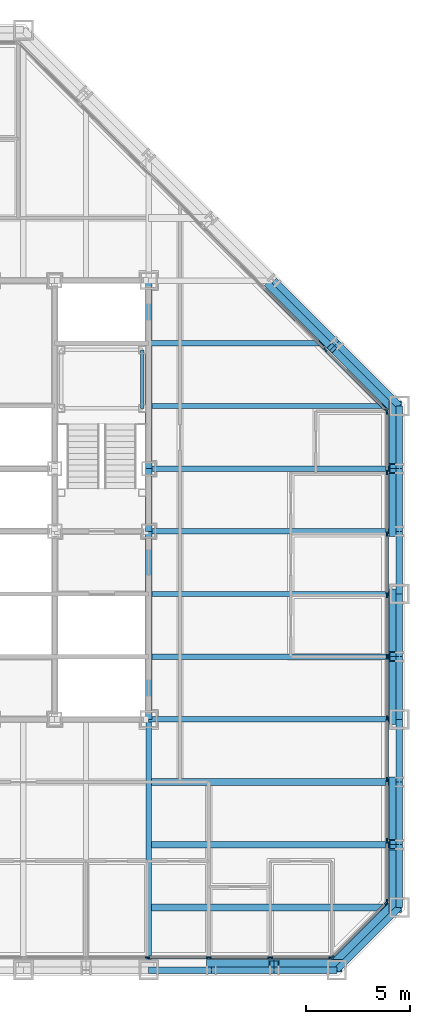
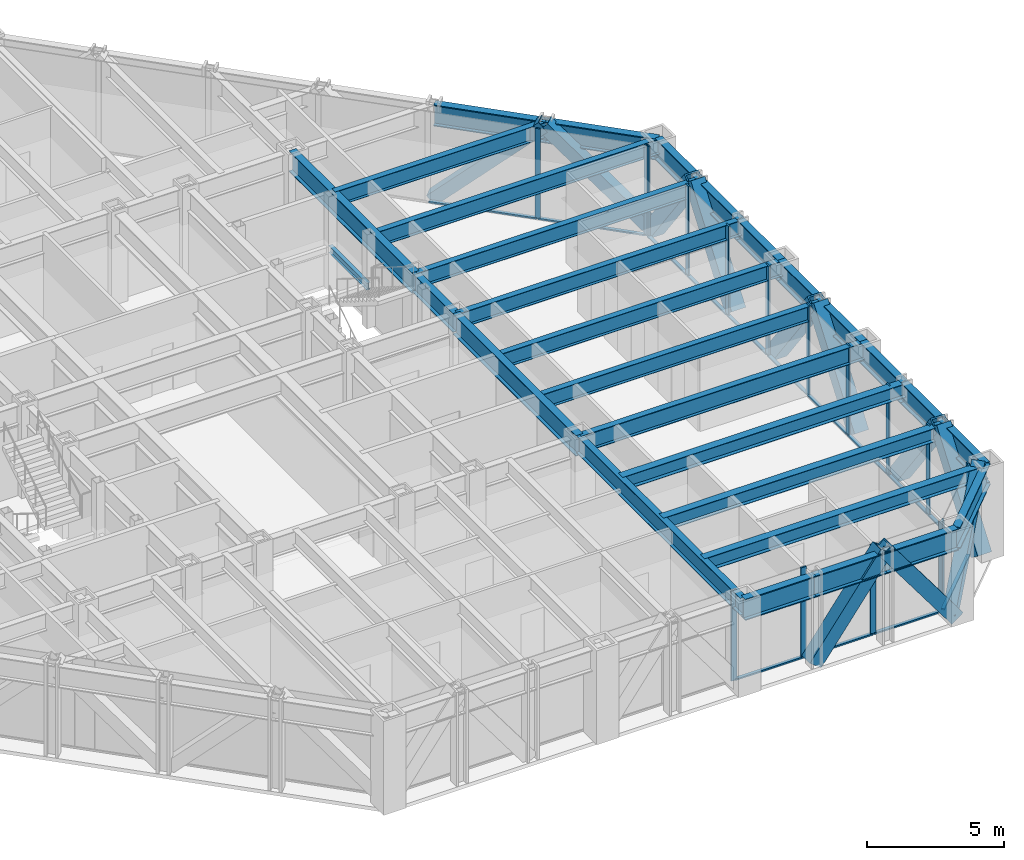
# One storey, part 6 of 16: 42 members, 29 beams, 4 elements without a shape of their own.
"""IFC4 building model written with IfcOpenShell, lengths in metres."""

from ifc_helpers import new_model, si_unit, direction, frame, origin, origin_2d, place, context, subcontext, project, spatial, rectangle, hollow_rectangle, i_section, extrude, material, layer, layer_set, material_profile, profile_set, type_object, element, aggregate, save


model = new_model("IFC4")

# Units and contexts
model_context = context("Model", 3, precision=1e-05, world=origin(), true_north=direction((0.0, 1.0)))
body_context = subcontext(model_context, "Body", "Model", "MODEL_VIEW")
ifc_project = project(units=[si_unit("LENGTHUNIT", "METRE"), si_unit("AREAUNIT", "SQUARE_METRE"), si_unit("VOLUMEUNIT", "CUBIC_METRE"), si_unit("PLANEANGLEUNIT", "RADIAN"), si_unit("MASSUNIT", "GRAM", prefix="KILO")], contexts=[model_context])

# Site, building, storey
site_placement = place(None, origin())
site = spatial("IfcSite", under=ifc_project, at=site_placement, CompositionType="ELEMENT")
building_placement = place(site_placement, origin())
building = spatial("IfcBuilding", under=site, at=building_placement, Name="Chuquiago Exchange Tower", CompositionType="ELEMENT")
storey_placement = place(building_placement, frame((0.0, 0.0, 106.800048828125)))
storey = spatial("IfcBuildingStorey", under=building, at=storey_placement, Name="L22", CompositionType="ELEMENT", Elevation=106.800048828125)

# Beams
ifc_material_1 = material(Name="Steel ASTM A992", Category="steel")
ifc_material_profile_1 = material_profile(ifc_material_1, i_section(OverallWidth=0.25390625, OverallDepth=0.683349609375, WebThickness=0.012451171875, FlangeThickness=0.018798828125, at=origin_2d()), Name="W27X94")
ifc_profile_set_1 = profile_set([ifc_material_profile_1], Name="Steel ASTM A992")
beam_type_1 = type_object("IfcBeamType", Name="B1 W27X94", PredefinedType="BEAM", material=ifc_profile_set_1)
for number, where, z_axis, x_axis, name in (
    (1, (33.0, 15.0, 3.6982421875), (1.0, 0.0, 0.0), (0.0, 1.0, 0.0), "FB-L23-infill-33_15-45_15-0"),
    (2, (33.0, 18.0, 3.6982421875), (1.0, 0.0, 0.0), (0.0, 1.0, 0.0), "FB-L23-infill-33_18-45_18-0"),
    (3, (33.0, 21.0, 3.6982421875), (1.0, 0.0, 0.0), (0.0, 1.0, 0.0), "FB-L23-infill-33_21-45_21-0"),
    (4, (33.0, 24.0, 3.6982421875), (1.0, 0.0, 0.0), (0.0, 1.0, 0.0), "FB-L23-infill-33_24-45_24-0"),
    (5, (33.0, 27.0, 3.6982421875), (1.0, 0.0, 0.0), (0.0, 1.0, 0.0), "FB-L23-infill-33_27-45_27-0"),
):
    element("IfcBeam", number, at=place(storey_placement, frame(where, z_axis=z_axis, x_axis=x_axis)), inside=storey, type_object=beam_type_1, Name=name, PredefinedType="BEAM", context=body_context, shape_type="SweptSolid", body=[
        extrude(i_section(OverallWidth=0.25390625, OverallDepth=0.683349609375, WebThickness=0.012451171875, FlangeThickness=0.018798828125, at=origin_2d()), origin(), (0.0, 0.0, 1.0), 12.0),
    ])
beam_1_placement = place(storey_placement, frame((33.0, 30.0, 3.6982421875), z_axis=(1.0, 0.0, 0.0), x_axis=(0.0, 1.0, 0.0)))
element("IfcBeam", 6, at=beam_1_placement, inside=storey, type_object=beam_type_1, Name="FB-L23-infill-33_30-42_30-0", PredefinedType="BEAM", context=body_context, shape_type="SweptSolid", body=[
    extrude(i_section(OverallWidth=0.25390625, OverallDepth=0.683349609375, WebThickness=0.012451171875, FlangeThickness=0.018798828125, at=origin_2d()), origin(), (0.0, 0.0, 1.0), 9.0),
])
ifc_material_2 = material(Name="Steel ASTM A992", Category="steel")
ifc_material_profile_2 = material_profile(ifc_material_2, i_section(OverallWidth=0.307373046875, OverallDepth=0.927001953125, WebThickness=0.01953125, FlangeThickness=0.031982421875, at=origin_2d()), Name="W36X194")
ifc_profile_set_2 = profile_set([ifc_material_profile_2], Name="Steel ASTM A992")
beam_type_2 = type_object("IfcBeamType", Name="B10 W36X194", PredefinedType="BEAM", material=ifc_profile_set_2)
for number, where, z_axis, x_axis, name in (
    (7, (33.0, 12.0, 3.576416015625), (0.0, 1.0, 0.0), (-1.0, 0.0, 0.0), "CB-L23-33_12-33_21"),
    (8, (33.0, 24.0, 3.576416015625), (0.0, 1.0, 0.0), (-1.0, 0.0, 0.0), "CB-L23-33_24-33_33"),
):
    element("IfcBeam", number, at=place(storey_placement, frame(where, z_axis=z_axis, x_axis=x_axis)), inside=storey, type_object=beam_type_2, Name=name, PredefinedType="BEAM", context=body_context, shape_type="SweptSolid", body=[
        extrude(i_section(OverallWidth=0.307373046875, OverallDepth=0.927001953125, WebThickness=0.01953125, FlangeThickness=0.031982421875, at=origin_2d()), origin(), (0.0, 0.0, 1.0), 9.0),
    ])
ifc_material_3 = material(Name="Steel ASTM A992", Category="steel")
ifc_material_profile_3 = material_profile(ifc_material_3, i_section(OverallWidth=0.3251953125, OverallDepth=0.612060546875, WebThickness=0.0126953125, FlangeThickness=0.01904296875, at=origin_2d()), Name="W24X104")
ifc_profile_set_3 = profile_set([ifc_material_profile_3], Name="Steel ASTM A992")
beam_type_3 = type_object("IfcBeamType", Name="B2 W24X104", PredefinedType="BEAM", material=ifc_profile_set_3)
for number, where, z_axis, x_axis, name in (
    (9, (33.0, 3.0, 3.73388671875), (1.0, 0.0, 0.0), (0.0, 1.0, 0.0), "FB-L23-corner-33_3-45_3-0"),
    (10, (33.0, 6.0, 3.73388671875), (1.0, 0.0, 0.0), (0.0, 1.0, 0.0), "FB-L23-corner-33_6-45_6-0"),
    (11, (33.0, 9.0, 3.73388671875), (1.0, 0.0, 0.0), (0.0, 1.0, 0.0), "FB-L23-corner-33_9-45_9-0"),
):
    element("IfcBeam", number, at=place(storey_placement, frame(where, z_axis=z_axis, x_axis=x_axis)), inside=storey, type_object=beam_type_3, Name=name, PredefinedType="BEAM", context=body_context, shape_type="SweptSolid", body=[
        extrude(i_section(OverallWidth=0.3251953125, OverallDepth=0.612060546875, WebThickness=0.0126953125, FlangeThickness=0.01904296875, at=origin_2d()), origin(), (0.0, 0.0, 1.0), 12.0),
    ])
ifc_material_4 = material(Name="Steel ASTM A992", Category="steel")
ifc_material_profile_4 = material_profile(ifc_material_4, i_section(OverallWidth=0.2919921875, OverallDepth=0.8583984375, WebThickness=0.01708984375, FlangeThickness=0.031005859375, at=origin_2d()), Name="W33X169")
ifc_profile_set_4 = profile_set([ifc_material_profile_4], Name="Steel ASTM A992")
beam_type_4 = type_object("IfcBeamType", Name="B3 W33X169", PredefinedType="BEAM", material=ifc_profile_set_4)
beam_2_placement = place(storey_placement, frame((33.0, 21.0, 3.610595703125), z_axis=(0.0, 1.0, 0.0), x_axis=(-1.0, 0.0, 0.0)))
element("IfcBeam", 12, at=beam_2_placement, inside=storey, type_object=beam_type_4, Name="CB-L23-33_21-33_24", PredefinedType="BEAM", context=body_context, shape_type="SweptSolid", body=[
    extrude(i_section(OverallWidth=0.2919921875, OverallDepth=0.8583984375, WebThickness=0.01708984375, FlangeThickness=0.031005859375, at=origin_2d()), origin(), (0.0, 0.0, 1.0), 3.0),
])

# Curtain wall, members
ifc_material_5 = material(Name="Aluminium curtain wall system", Category="aluminium")
ifc_layer_1 = layer(ifc_material_5, 0.22509765625)
ifc_layer_set_1 = layer_set([ifc_layer_1], Name="CW2 office curtain wall")
curtain_wall_type_1 = type_object("IfcCurtainWallType", Name="CW2 office curtain wall", PredefinedType="NOTDEFINED", material=ifc_layer_set_1)
curtain_wall_1_placement = place(storey_placement, origin())
curtain_wall_1 = element("IfcCurtainWall", 13, at=curtain_wall_1_placement, inside=storey, type_object=curtain_wall_type_1, Name="CW2 curtain wall L22", PredefinedType="NOTDEFINED")
ifc_material_6 = material(Name="Aluminium mullion, pale anodised", Category="aluminium")
ifc_material_profile_5 = material_profile(ifc_material_6, rectangle(XDim=0.06494140625, YDim=0.22509765625, at=origin_2d()), Name="AL 65x225")
ifc_profile_set_5 = profile_set([ifc_material_profile_5], Name="Aluminium mullion, pale anodised")
member_type_1 = type_object("IfcMemberType", Name="CW2-M mullion 65x225", PredefinedType="MULLION", material=ifc_profile_set_5)
member_1_placement = place(storey_placement, frame((32.93798828125, 0.60009765625, 0.0), z_axis=(0.0, 0.0, 1.0), x_axis=(0.0, 1.0, 0.0)))
member_1 = element("IfcMember", 14, at=member_1_placement, type_object=member_type_1, Name="CW2 mullion 6", PredefinedType="MULLION", context=body_context, shape_type="SweptSolid", body=[
    extrude(rectangle(XDim=0.06494140625, YDim=0.22509765625, at=origin_2d()), origin(), (0.0, 0.0, 1.0), 4.0400390625),
])
member_2_placement = place(storey_placement, frame((35.875732421875, 0.60009765625, 0.0), z_axis=(0.0, 0.0, 1.0), x_axis=(0.0, 1.0, 0.0)))
member_2 = element("IfcMember", 15, at=member_2_placement, type_object=member_type_1, Name="CW2 mullion 7", PredefinedType="MULLION", context=body_context, shape_type="SweptSolid", body=[
    extrude(rectangle(XDim=0.06494140625, YDim=0.22509765625, at=origin_2d()), origin(), (0.0, 0.0, 1.0), 4.0400390625),
])
member_3_placement = place(storey_placement, frame((38.813720703125, 0.60009765625, 0.0), z_axis=(0.0, 0.0, 1.0), x_axis=(0.0, 1.0, 0.0)))
member_3 = element("IfcMember", 16, at=member_3_placement, type_object=member_type_1, Name="CW2 mullion 8", PredefinedType="MULLION", context=body_context, shape_type="SweptSolid", body=[
    extrude(rectangle(XDim=0.06494140625, YDim=0.22509765625, at=origin_2d()), origin(), (0.0, 0.0, 1.0), 4.0400390625),
])
member_4_placement = place(storey_placement, frame((41.718994140625, 0.60009765625, 0.0), z_axis=(0.0, 0.0, 1.0), x_axis=(0.0, 1.0, 0.0)))
member_4 = element("IfcMember", 17, at=member_4_placement, type_object=member_type_1, Name="CW2 mullion 9", PredefinedType="MULLION", context=body_context, shape_type="SweptSolid", body=[
    extrude(rectangle(XDim=0.06494140625, YDim=0.22509765625, at=origin_2d()), origin(), (0.0, 0.0, 1.0), 4.0400390625),
])

curtain_wall_2_placement = place(storey_placement, origin())
curtain_wall_2 = element("IfcCurtainWall", 18, at=curtain_wall_2_placement, inside=storey, type_object=curtain_wall_type_1, Name="CW2 curtain wall L22", PredefinedType="NOTDEFINED")
member_5_placement = place(storey_placement, frame((44.39990234375, 3.281005859375, 0.0), z_axis=(0.0, 0.0, 1.0), x_axis=(-1.0, 0.0, 0.0)))
member_5 = element("IfcMember", 19, at=member_5_placement, type_object=member_type_1, Name="CW2 mullion 1", PredefinedType="MULLION", context=body_context, shape_type="SweptSolid", body=[
    extrude(rectangle(XDim=0.06494140625, YDim=0.22509765625, at=origin_2d()), origin(), (0.0, 0.0, 1.0), 4.0400390625),
])
member_6_placement = place(storey_placement, frame((44.39990234375, 6.186279296875, 0.0), z_axis=(0.0, 0.0, 1.0), x_axis=(-1.0, 0.0, 0.0)))
member_6 = element("IfcMember", 20, at=member_6_placement, type_object=member_type_1, Name="CW2 mullion 2", PredefinedType="MULLION", context=body_context, shape_type="SweptSolid", body=[
    extrude(rectangle(XDim=0.06494140625, YDim=0.22509765625, at=origin_2d()), origin(), (0.0, 0.0, 1.0), 4.0400390625),
])
member_7_placement = place(storey_placement, frame((44.39990234375, 9.124267578125, 0.0), z_axis=(0.0, 0.0, 1.0), x_axis=(-1.0, 0.0, 0.0)))
member_7 = element("IfcMember", 21, at=member_7_placement, type_object=member_type_1, Name="CW2 mullion 3", PredefinedType="MULLION", context=body_context, shape_type="SweptSolid", body=[
    extrude(rectangle(XDim=0.06494140625, YDim=0.22509765625, at=origin_2d()), origin(), (0.0, 0.0, 1.0), 4.0400390625),
])
member_8_placement = place(storey_placement, frame((44.39990234375, 12.06201171875, 0.0), z_axis=(0.0, 0.0, 1.0), x_axis=(-1.0, 0.0, 0.0)))
member_8 = element("IfcMember", 22, at=member_8_placement, type_object=member_type_1, Name="CW2 mullion 4", PredefinedType="MULLION", context=body_context, shape_type="SweptSolid", body=[
    extrude(rectangle(XDim=0.06494140625, YDim=0.22509765625, at=origin_2d()), origin(), (0.0, 0.0, 1.0), 4.0400390625),
])
member_9_placement = place(storey_placement, frame((44.39990234375, 15.0, 0.0), z_axis=(0.0, 0.0, 1.0), x_axis=(-1.0, 0.0, 0.0)))
member_9 = element("IfcMember", 23, at=member_9_placement, type_object=member_type_1, Name="CW2 mullion 5", PredefinedType="MULLION", context=body_context, shape_type="SweptSolid", body=[
    extrude(rectangle(XDim=0.06494140625, YDim=0.22509765625, at=origin_2d()), origin(), (0.0, 0.0, 1.0), 4.0400390625),
])
member_10_placement = place(storey_placement, frame((44.39990234375, 17.93798828125, 0.0), z_axis=(0.0, 0.0, 1.0), x_axis=(-1.0, 0.0, 0.0)))
member_10 = element("IfcMember", 24, at=member_10_placement, type_object=member_type_1, Name="CW2 mullion 6", PredefinedType="MULLION", context=body_context, shape_type="SweptSolid", body=[
    extrude(rectangle(XDim=0.06494140625, YDim=0.22509765625, at=origin_2d()), origin(), (0.0, 0.0, 1.0), 4.0400390625),
])
member_11_placement = place(storey_placement, frame((44.39990234375, 20.875732421875, 0.0), z_axis=(0.0, 0.0, 1.0), x_axis=(-1.0, 0.0, 0.0)))
member_11 = element("IfcMember", 25, at=member_11_placement, type_object=member_type_1, Name="CW2 mullion 7", PredefinedType="MULLION", context=body_context, shape_type="SweptSolid", body=[
    extrude(rectangle(XDim=0.06494140625, YDim=0.22509765625, at=origin_2d()), origin(), (0.0, 0.0, 1.0), 4.0400390625),
])
member_12_placement = place(storey_placement, frame((44.39990234375, 23.813720703125, 0.0), z_axis=(0.0, 0.0, 1.0), x_axis=(-1.0, 0.0, 0.0)))
member_12 = element("IfcMember", 26, at=member_12_placement, type_object=member_type_1, Name="CW2 mullion 8", PredefinedType="MULLION", context=body_context, shape_type="SweptSolid", body=[
    extrude(rectangle(XDim=0.06494140625, YDim=0.22509765625, at=origin_2d()), origin(), (0.0, 0.0, 1.0), 4.0400390625),
])
member_13_placement = place(storey_placement, frame((44.39990234375, 26.718994140625, 0.0), z_axis=(0.0, 0.0, 1.0), x_axis=(-1.0, 0.0, 0.0)))
member_13 = element("IfcMember", 27, at=member_13_placement, type_object=member_type_1, Name="CW2 mullion 9", PredefinedType="MULLION", context=body_context, shape_type="SweptSolid", body=[
    extrude(rectangle(XDim=0.06494140625, YDim=0.22509765625, at=origin_2d()), origin(), (0.0, 0.0, 1.0), 4.0400390625),
])

# Member
ifc_material_7 = material(Name="Aluminium transom, pale anodised", Category="aluminium")
ifc_material_profile_6 = material_profile(ifc_material_7, rectangle(XDim=0.139892578125, YDim=0.06494140625, at=origin_2d()), Name="AL 140x65")
ifc_profile_set_6 = profile_set([ifc_material_profile_6], Name="Aluminium transom, pale anodised")
member_type_2 = type_object("IfcMemberType", Name="CW2-T transom 65x140", PredefinedType="MULLION", material=ifc_profile_set_6)
member_14_placement = place(storey_placement, frame((32.970458984375, 0.60009765625, 0.032470703125), z_axis=(1.0, 0.0, 0.0), x_axis=(0.0, 1.0, 0.0)))
member_14 = element("IfcMember", 28, at=member_14_placement, type_object=member_type_2, Name="CW2 transom 6.1", PredefinedType="MULLION", context=body_context, shape_type="SweptSolid", body=[
    extrude(rectangle(XDim=0.139892578125, YDim=0.06494140625, at=origin_2d()), origin(), (0.0, 0.0, 1.0), 2.872802734375),
])

member_15_placement = place(storey_placement, frame((35.908203125, 0.60009765625, 0.032470703125), z_axis=(1.0, 0.0, 0.0), x_axis=(0.0, 1.0, 0.0)))
member_15 = element("IfcMember", 29, at=member_15_placement, type_object=member_type_2, Name="CW2 transom 7.1", PredefinedType="MULLION", context=body_context, shape_type="SweptSolid", body=[
    extrude(rectangle(XDim=0.139892578125, YDim=0.06494140625, at=origin_2d()), origin(), (0.0, 0.0, 1.0), 2.872802734375),
])

member_16_placement = place(storey_placement, frame((38.84619140625, 0.60009765625, 0.032470703125), z_axis=(1.0, 0.0, 0.0), x_axis=(0.0, 1.0, 0.0)))
member_16 = element("IfcMember", 30, at=member_16_placement, type_object=member_type_2, Name="CW2 transom 8.1", PredefinedType="MULLION", context=body_context, shape_type="SweptSolid", body=[
    extrude(rectangle(XDim=0.139892578125, YDim=0.06494140625, at=origin_2d()), origin(), (0.0, 0.0, 1.0), 2.84033203125),
])

aggregate(curtain_wall_1, [member_1, member_2, member_3, member_4, member_14, member_15, member_16])

member_17_placement = place(storey_placement, frame((44.39990234375, 3.3134765625, 0.032470703125), z_axis=(0.0, 1.0, 0.0), x_axis=(-1.0, 0.0, 0.0)))
member_17 = element("IfcMember", 31, at=member_17_placement, type_object=member_type_2, Name="CW2 transom 1.1", PredefinedType="MULLION", context=body_context, shape_type="SweptSolid", body=[
    extrude(rectangle(XDim=0.139892578125, YDim=0.06494140625, at=origin_2d()), origin(), (0.0, 0.0, 1.0), 2.84033203125),
])

member_18_placement = place(storey_placement, frame((44.39990234375, 6.218994140625, 0.032470703125), z_axis=(0.0, 1.0, 0.0), x_axis=(-1.0, 0.0, 0.0)))
member_18 = element("IfcMember", 32, at=member_18_placement, type_object=member_type_2, Name="CW2 transom 2.1", PredefinedType="MULLION", context=body_context, shape_type="SweptSolid", body=[
    extrude(rectangle(XDim=0.139892578125, YDim=0.06494140625, at=origin_2d()), origin(), (0.0, 0.0, 1.0), 2.872802734375),
])

member_19_placement = place(storey_placement, frame((44.39990234375, 9.15673828125, 0.032470703125), z_axis=(0.0, 1.0, 0.0), x_axis=(-1.0, 0.0, 0.0)))
member_19 = element("IfcMember", 33, at=member_19_placement, type_object=member_type_2, Name="CW2 transom 3.1", PredefinedType="MULLION", context=body_context, shape_type="SweptSolid", body=[
    extrude(rectangle(XDim=0.139892578125, YDim=0.06494140625, at=origin_2d()), origin(), (0.0, 0.0, 1.0), 2.872802734375),
])

member_20_placement = place(storey_placement, frame((44.39990234375, 12.0947265625, 0.032470703125), z_axis=(0.0, 1.0, 0.0), x_axis=(-1.0, 0.0, 0.0)))
member_20 = element("IfcMember", 34, at=member_20_placement, type_object=member_type_2, Name="CW2 transom 4.1", PredefinedType="MULLION", context=body_context, shape_type="SweptSolid", body=[
    extrude(rectangle(XDim=0.139892578125, YDim=0.06494140625, at=origin_2d()), origin(), (0.0, 0.0, 1.0), 2.872802734375),
])

member_21_placement = place(storey_placement, frame((44.39990234375, 15.032470703125, 0.032470703125), z_axis=(0.0, 1.0, 0.0), x_axis=(-1.0, 0.0, 0.0)))
member_21 = element("IfcMember", 35, at=member_21_placement, type_object=member_type_2, Name="CW2 transom 5.1", PredefinedType="MULLION", context=body_context, shape_type="SweptSolid", body=[
    extrude(rectangle(XDim=0.139892578125, YDim=0.06494140625, at=origin_2d()), origin(), (0.0, 0.0, 1.0), 2.872802734375),
])

member_22_placement = place(storey_placement, frame((44.39990234375, 17.970458984375, 0.032470703125), z_axis=(0.0, 1.0, 0.0), x_axis=(-1.0, 0.0, 0.0)))
member_22 = element("IfcMember", 36, at=member_22_placement, type_object=member_type_2, Name="CW2 transom 6.1", PredefinedType="MULLION", context=body_context, shape_type="SweptSolid", body=[
    extrude(rectangle(XDim=0.139892578125, YDim=0.06494140625, at=origin_2d()), origin(), (0.0, 0.0, 1.0), 2.872802734375),
])

member_23_placement = place(storey_placement, frame((44.39990234375, 20.908203125, 0.032470703125), z_axis=(0.0, 1.0, 0.0), x_axis=(-1.0, 0.0, 0.0)))
member_23 = element("IfcMember", 37, at=member_23_placement, type_object=member_type_2, Name="CW2 transom 7.1", PredefinedType="MULLION", context=body_context, shape_type="SweptSolid", body=[
    extrude(rectangle(XDim=0.139892578125, YDim=0.06494140625, at=origin_2d()), origin(), (0.0, 0.0, 1.0), 2.872802734375),
])

member_24_placement = place(storey_placement, frame((44.39990234375, 23.84619140625, 0.032470703125), z_axis=(0.0, 1.0, 0.0), x_axis=(-1.0, 0.0, 0.0)))
member_24 = element("IfcMember", 38, at=member_24_placement, type_object=member_type_2, Name="CW2 transom 8.1", PredefinedType="MULLION", context=body_context, shape_type="SweptSolid", body=[
    extrude(rectangle(XDim=0.139892578125, YDim=0.06494140625, at=origin_2d()), origin(), (0.0, 0.0, 1.0), 2.84033203125),
])

aggregate(curtain_wall_2, [member_5, member_6, member_7, member_8, member_9, member_10, member_11, member_12, member_13, member_17, member_18, member_19, member_20, member_21, member_22, member_23, member_24])

# Curtain wall, members
ifc_material_8 = material(Name="Aluminium curtain wall system", Category="aluminium")
ifc_layer_2 = layer(ifc_material_8, 0.199951171875)
ifc_layer_set_2 = layer_set([ifc_layer_2], Name="CW3 facet curtain wall")
curtain_wall_type_2 = type_object("IfcCurtainWallType", Name="CW3 facet curtain wall", PredefinedType="NOTDEFINED", material=ifc_layer_set_2)
curtain_wall_3_placement = place(storey_placement, origin())
curtain_wall_3 = element("IfcCurtainWall", 39, at=curtain_wall_3_placement, inside=storey, type_object=curtain_wall_type_2, Name="CW3 curtain wall L22", PredefinedType="NOTDEFINED")
ifc_material_9 = material(Name="Aluminium mullion, pale anodised", Category="aluminium")
ifc_material_profile_7 = material_profile(ifc_material_9, rectangle(XDim=0.06494140625, YDim=0.199951171875, at=origin_2d()), Name="AL 65x200")
ifc_profile_set_7 = profile_set([ifc_material_profile_7], Name="Aluminium mullion, pale anodised")
member_type_3 = type_object("IfcMemberType", Name="CW3-M mullion 65x200", PredefinedType="MULLION", material=ifc_profile_set_7)
member_25_placement = place(storey_placement, frame((41.7744140625, 0.623046875, 0.0), z_axis=(0.0, 0.0, 1.0), x_axis=(-0.707106781187, 0.707106781187, 0.0)))
member_25 = element("IfcMember", 40, at=member_25_placement, type_object=member_type_3, Name="CW3 mullion 1", PredefinedType="MULLION", context=body_context, shape_type="SweptSolid", body=[
    extrude(rectangle(XDim=0.06494140625, YDim=0.199951171875, at=origin_2d()), origin(), (0.0, 0.0, 1.0), 4.0400390625),
])
member_26_placement = place(storey_placement, frame((44.376953125, 3.2255859375, 0.0), z_axis=(0.0, 0.0, 1.0), x_axis=(-0.707106781187, 0.707106781187, 0.0)))
member_26 = element("IfcMember", 41, at=member_26_placement, type_object=member_type_3, Name="CW3 mullion 2", PredefinedType="MULLION", context=body_context, shape_type="SweptSolid", body=[
    extrude(rectangle(XDim=0.06494140625, YDim=0.199951171875, at=origin_2d()), origin(), (0.0, 0.0, 1.0), 4.0400390625),
])

curtain_wall_4_placement = place(storey_placement, origin())
curtain_wall_4 = element("IfcCurtainWall", 42, at=curtain_wall_4_placement, inside=storey, type_object=curtain_wall_type_2, Name="CW3 curtain wall L22", PredefinedType="NOTDEFINED")
member_27_placement = place(storey_placement, frame((44.376953125, 26.7744140625, 0.0), z_axis=(0.0, 0.0, 1.0), x_axis=(-0.707106781187, -0.707106781187, 0.0)))
member_27 = element("IfcMember", 43, at=member_27_placement, type_object=member_type_3, Name="CW3 mullion 1", PredefinedType="MULLION", context=body_context, shape_type="SweptSolid", body=[
    extrude(rectangle(XDim=0.06494140625, YDim=0.199951171875, at=origin_2d()), origin(), (0.0, 0.0, 1.0), 4.0400390625),
])
member_28_placement = place(storey_placement, frame((41.45849609375, 29.69287109375, 0.0), z_axis=(0.0, 0.0, 1.0), x_axis=(-0.707106781187, -0.707106781187, 0.0)))
member_28 = element("IfcMember", 44, at=member_28_placement, type_object=member_type_3, Name="CW3 mullion 2", PredefinedType="MULLION", context=body_context, shape_type="SweptSolid", body=[
    extrude(rectangle(XDim=0.06494140625, YDim=0.199951171875, at=origin_2d()), origin(), (0.0, 0.0, 1.0), 4.0400390625),
])

# Member
ifc_material_10 = material(Name="Aluminium transom, pale anodised", Category="aluminium")
ifc_material_profile_8 = material_profile(ifc_material_10, rectangle(XDim=0.139892578125, YDim=0.06494140625, at=origin_2d()), Name="AL 140x65")
ifc_profile_set_8 = profile_set([ifc_material_profile_8], Name="Aluminium transom, pale anodised")
member_type_4 = type_object("IfcMemberType", Name="CW3-T transom 65x140", PredefinedType="MULLION", material=ifc_profile_set_8)
member_29_placement = place(storey_placement, frame((41.79736328125, 0.64599609375, 0.032470703125), z_axis=(0.707106781187, 0.707106781187, 0.0), x_axis=(-0.707106781187, 0.707106781187, 0.0)))
member_29 = element("IfcMember", 45, at=member_29_placement, type_object=member_type_4, Name="CW3 transom 1.1", PredefinedType="MULLION", context=body_context, shape_type="SweptSolid", body=[
    extrude(rectangle(XDim=0.139892578125, YDim=0.06494140625, at=origin_2d()), origin(), (0.0, 0.0, 1.0), 3.61572265625),
])

aggregate(curtain_wall_3, [member_25, member_26, member_29])

member_30_placement = place(storey_placement, frame((44.35400390625, 26.79736328125, 0.032470703125), z_axis=(-0.707106781187, 0.707106781187, 0.0), x_axis=(-0.707106781187, -0.707106781187, 0.0)))
member_30 = element("IfcMember", 46, at=member_30_placement, type_object=member_type_4, Name="CW3 transom 1.1", PredefinedType="MULLION", context=body_context, shape_type="SweptSolid", body=[
    extrude(rectangle(XDim=0.139892578125, YDim=0.06494140625, at=origin_2d()), origin(), (0.0, 0.0, 1.0), 4.0625),
])

member_31_placement = place(storey_placement, frame((41.435546875, 29.7158203125, 0.032470703125), z_axis=(-0.707106781187, 0.707106781187, 0.0), x_axis=(-0.707106781187, -0.707106781187, 0.0)))
member_31 = element("IfcMember", 47, at=member_31_placement, type_object=member_type_4, Name="CW3 transom 2.1", PredefinedType="MULLION", context=body_context, shape_type="SweptSolid", body=[
    extrude(rectangle(XDim=0.139892578125, YDim=0.06494140625, at=origin_2d()), origin(), (0.0, 0.0, 1.0), 4.094970703125),
])

aggregate(curtain_wall_4, [member_27, member_28, member_30, member_31])

# Beams
ifc_material_11 = material(Name="Steel ASTM A992", Category="steel")
ifc_material_profile_9 = material_profile(ifc_material_11, i_section(OverallWidth=0.2666015625, OverallDepth=0.76953125, WebThickness=0.015625, FlangeThickness=0.025390625, at=origin_2d()), Name="W30X132")
ifc_profile_set_9 = profile_set([ifc_material_profile_9], Name="Steel ASTM A992")
beam_type_5 = type_object("IfcBeamType", Name="G1 W30X132", PredefinedType="BEAM", material=ifc_profile_set_9)
for number, where, z_axis, x_axis, name in (
    (48, (33.0, 12.0, 3.655029296875), (0.0, -1.0, 0.0), (1.0, 0.0, 0.0), "FB-L23-girder-33_12-33_-0-0"),
    (49, (33.0, 12.0, 3.655029296875), (1.0, 0.0, 0.0), (0.0, 1.0, 0.0), "FB-L23-girder-33_12-45_12-0"),
):
    element("IfcBeam", number, at=place(storey_placement, frame(where, z_axis=z_axis, x_axis=x_axis)), inside=storey, type_object=beam_type_5, Name=name, PredefinedType="BEAM", context=body_context, shape_type="SweptSolid", body=[
        extrude(i_section(OverallWidth=0.2666015625, OverallDepth=0.76953125, WebThickness=0.015625, FlangeThickness=0.025390625, at=origin_2d()), origin(), (0.0, 0.0, 1.0), 12.0),
    ])

# Members
ifc_material_12 = material(Name="Steel ASTM A500 Grade C", Category="steel")
ifc_material_profile_10 = material_profile(ifc_material_12, hollow_rectangle(XDim=0.508056640625, YDim=0.508056640625, WallThickness=0.017822265625, at=origin_2d()), Name="HSS20X20X3/4")
ifc_profile_set_10 = profile_set([ifc_material_profile_10], Name="Steel ASTM A500 Grade C")
member_type_5 = type_object("IfcMemberType", Name="LB1 HSS20X20X3/4", PredefinedType="BRACE", material=ifc_profile_set_10)
for number, where, z_axis, x_axis, name in (
    (50, (41.822509765625, 0.177490234375, 0.0), (0.512077265487, 0.512077265487, 0.689604051861), (-0.707106781187, 0.707106781187, 0.0), "LB-L22-42_0-45_3"),
    (51, (44.822509765625, 26.822509765625, 0.0), (-0.512077265487, 0.512077265487, 0.689604051861), (-0.707106781187, -0.707106781187, 0.0), "LB-L22-45_27-42_30"),
    (52, (38.822509765625, 32.822509765625, 0.0), (0.512077265487, -0.512077265487, 0.689604051861), (0.707106781187, 0.707106781187, 0.0), "LB-L22-42_30-39_33"),
):
    element("IfcMember", number, at=place(storey_placement, frame(where, z_axis=z_axis, x_axis=x_axis)), inside=storey, type_object=member_type_5, Name=name, PredefinedType="BRACE", context=body_context, shape_type="SweptSolid", body=[
        extrude(hollow_rectangle(XDim=0.508056640625, YDim=0.508056640625, WallThickness=0.017822265625, at=origin_2d()), origin(), (0.0, 0.0, 1.0), 5.8583984375),
    ])

# Beam
ifc_material_13 = material(Name="Steel ASTM A992", Category="steel")
ifc_material_profile_11 = material_profile(ifc_material_13, i_section(OverallWidth=0.164794921875, OverallDepth=0.309814453125, WebThickness=0.005859375, FlangeThickness=0.009765625, at=origin_2d()), Name="W12X26")
ifc_profile_set_11 = profile_set([ifc_material_profile_11], Name="Steel ASTM A992")
beam_type_6 = type_object("IfcBeamType", Name="LS1 W12X26", PredefinedType="BEAM", material=ifc_profile_set_11)
beam_3_placement = place(storey_placement, frame((32.68994140625, 26.889892578125, 1.7451171875), z_axis=(0.0, 1.0, 0.0), x_axis=(-1.0, 0.0, 0.0)))
element("IfcBeam", 53, at=beam_3_placement, inside=storey, type_object=beam_type_6, Name="Stair ST2 L22 landing 1 stringer", PredefinedType="BEAM", context=body_context, shape_type="SweptSolid", body=[
    extrude(i_section(OverallWidth=0.164794921875, OverallDepth=0.309814453125, WebThickness=0.005859375, FlangeThickness=0.009765625, at=origin_2d()), origin(), (0.0, 0.0, 1.0), 2.800048828125),
])

# Members
ifc_material_14 = material(Name="Steel ASTM A572 Grade 50", Category="steel")
ifc_material_profile_12 = material_profile(ifc_material_14, hollow_rectangle(XDim=0.60009765625, YDim=0.60009765625, WallThickness=0.06005859375, at=origin_2d()), Name="BOX600X600X60")
ifc_profile_set_12 = profile_set([ifc_material_profile_12], Name="Steel ASTM A572 Grade 50")
member_type_6 = type_object("IfcMemberType", Name="MB2 BOX600X600X60", PredefinedType="BRACE", material=ifc_profile_set_12)
for number, where, z_axis, x_axis, name in (
    (54, (36.0, 0.205078125, 0.0), (0.596173923302, 0.0, 0.802855312728), (0.0, 1.0, 0.0), "Mega diagonal L22 S face"),
    (55, (42.0, 0.205078125, 0.0), (-0.596173923302, 0.0, 0.802855312728), (0.0, -1.0, 0.0), "Mega diagonal L22 S face"),
    (56, (44.794921875, 3.0, 0.0), (0.0, 0.596173923302, 0.802855312728), (-1.0, 0.0, 0.0), "Mega diagonal L22 E face"),
    (57, (44.794921875, 9.0, 0.0), (0.0, -0.596173923302, 0.802855312728), (1.0, 0.0, 0.0), "Mega diagonal L22 E face"),
    (58, (44.794921875, 12.0, 0.0), (0.0, 0.596173923302, 0.802855312728), (-1.0, 0.0, 0.0), "Mega diagonal L22 E face"),
    (59, (44.794921875, 18.0, 0.0), (0.0, -0.596173923302, 0.802855312728), (1.0, 0.0, 0.0), "Mega diagonal L22 E face"),
    (60, (44.794921875, 21.0, 0.0), (0.0, 0.596173923302, 0.802855312728), (-1.0, 0.0, 0.0), "Mega diagonal L22 E face"),
    (61, (44.794921875, 27.0, 0.0), (0.0, -0.596173923302, 0.802855312728), (1.0, 0.0, 0.0), "Mega diagonal L22 E face"),
):
    element("IfcMember", number, at=place(storey_placement, frame(where, z_axis=z_axis, x_axis=x_axis)), inside=storey, type_object=member_type_6, Name=name, PredefinedType="BRACE", context=body_context, shape_type="SweptSolid", body=[
        extrude(hollow_rectangle(XDim=0.60009765625, YDim=0.60009765625, WallThickness=0.06005859375, at=origin_2d()), origin(), (0.0, 0.0, 1.0), 5.031982421875),
    ])

# Beams
ifc_material_15 = material(Name="Steel ASTM A992", Category="steel")
ifc_material_profile_13 = material_profile(ifc_material_15, i_section(OverallWidth=0.309814453125, OverallDepth=0.949951171875, WebThickness=0.0244140625, FlangeThickness=0.0439453125, at=origin_2d()), Name="W36X256")
ifc_profile_set_13 = profile_set([ifc_material_profile_13], Name="Steel ASTM A992")
beam_type_7 = type_object("IfcBeamType", Name="SP2 W36X256", PredefinedType="SPANDREL", material=ifc_profile_set_13)
for number, where, z_axis, x_axis, name in (
    (62, (33.0, 0.0, 3.56494140625), (1.0, 0.0, 0.0), (0.0, 1.0, 0.0), "SPB-L23-33_0-36_0"),
    (63, (36.0, 0.0, 3.56494140625), (1.0, 0.0, 0.0), (0.0, 1.0, 0.0), "SPB-L23-36_0-39_0"),
    (64, (39.0, 0.0, 3.56494140625), (1.0, 0.0, 0.0), (0.0, 1.0, 0.0), "SPB-L23-39_0-42_0"),
):
    element("IfcBeam", number, at=place(storey_placement, frame(where, z_axis=z_axis, x_axis=x_axis)), inside=storey, type_object=beam_type_7, Name=name, PredefinedType="SPANDREL", context=body_context, shape_type="SweptSolid", body=[
        extrude(i_section(OverallWidth=0.309814453125, OverallDepth=0.949951171875, WebThickness=0.0244140625, FlangeThickness=0.0439453125, at=origin_2d()), origin(), (0.0, 0.0, 1.0), 3.0),
    ])
beam_4_placement = place(storey_placement, frame((42.0, 0.0, 3.56494140625), z_axis=(0.707106781187, 0.707106781187, 0.0), x_axis=(-0.707106781187, 0.707106781187, 0.0)))
element("IfcBeam", 65, at=beam_4_placement, inside=storey, type_object=beam_type_7, Name="SPB-L23-42_0-45_3", PredefinedType="SPANDREL", context=body_context, shape_type="SweptSolid", body=[
    extrude(i_section(OverallWidth=0.309814453125, OverallDepth=0.949951171875, WebThickness=0.0244140625, FlangeThickness=0.0439453125, at=origin_2d()), origin(), (0.0, 0.0, 1.0), 4.24267578125),
])
for number, where, z_axis, x_axis, name in (
    (66, (45.0, 3.0, 3.56494140625), (0.0, 1.0, 0.0), (-1.0, 0.0, 0.0), "SPB-L23-45_3-45_6"),
    (67, (45.0, 6.0, 3.56494140625), (0.0, 1.0, 0.0), (-1.0, 0.0, 0.0), "SPB-L23-45_6-45_9"),
    (68, (45.0, 9.0, 3.56494140625), (0.0, 1.0, 0.0), (-1.0, 0.0, 0.0), "SPB-L23-45_9-45_12"),
    (69, (45.0, 12.0, 3.56494140625), (0.0, 1.0, 0.0), (-1.0, 0.0, 0.0), "SPB-L23-45_12-45_15"),
    (70, (45.0, 15.0, 3.56494140625), (0.0, 1.0, 0.0), (-1.0, 0.0, 0.0), "SPB-L23-45_15-45_18"),
    (71, (45.0, 18.0, 3.56494140625), (0.0, 1.0, 0.0), (-1.0, 0.0, 0.0), "SPB-L23-45_18-45_21"),
    (72, (45.0, 21.0, 3.56494140625), (0.0, 1.0, 0.0), (-1.0, 0.0, 0.0), "SPB-L23-45_21-45_24"),
    (73, (45.0, 24.0, 3.56494140625), (0.0, 1.0, 0.0), (-1.0, 0.0, 0.0), "SPB-L23-45_24-45_27"),
):
    element("IfcBeam", number, at=place(storey_placement, frame(where, z_axis=z_axis, x_axis=x_axis)), inside=storey, type_object=beam_type_7, Name=name, PredefinedType="SPANDREL", context=body_context, shape_type="SweptSolid", body=[
        extrude(i_section(OverallWidth=0.309814453125, OverallDepth=0.949951171875, WebThickness=0.0244140625, FlangeThickness=0.0439453125, at=origin_2d()), origin(), (0.0, 0.0, 1.0), 3.0),
    ])
for number, where, z_axis, x_axis, name in (
    (74, (45.0, 27.0, 3.56494140625), (-0.707106781187, 0.707106781187, 0.0), (-0.707106781187, -0.707106781187, 0.0), "SPB-L23-45_27-42_30"),
    (75, (42.0, 30.0, 3.56494140625), (-0.707106781187, 0.707106781187, 0.0), (-0.707106781187, -0.707106781187, 0.0), "SPB-L23-42_30-39_33"),
):
    element("IfcBeam", number, at=place(storey_placement, frame(where, z_axis=z_axis, x_axis=x_axis)), inside=storey, type_object=beam_type_7, Name=name, PredefinedType="SPANDREL", context=body_context, shape_type="SweptSolid", body=[
        extrude(i_section(OverallWidth=0.309814453125, OverallDepth=0.949951171875, WebThickness=0.0244140625, FlangeThickness=0.0439453125, at=origin_2d()), origin(), (0.0, 0.0, 1.0), 4.24267578125),
    ])

save(model, "model.ifc")
